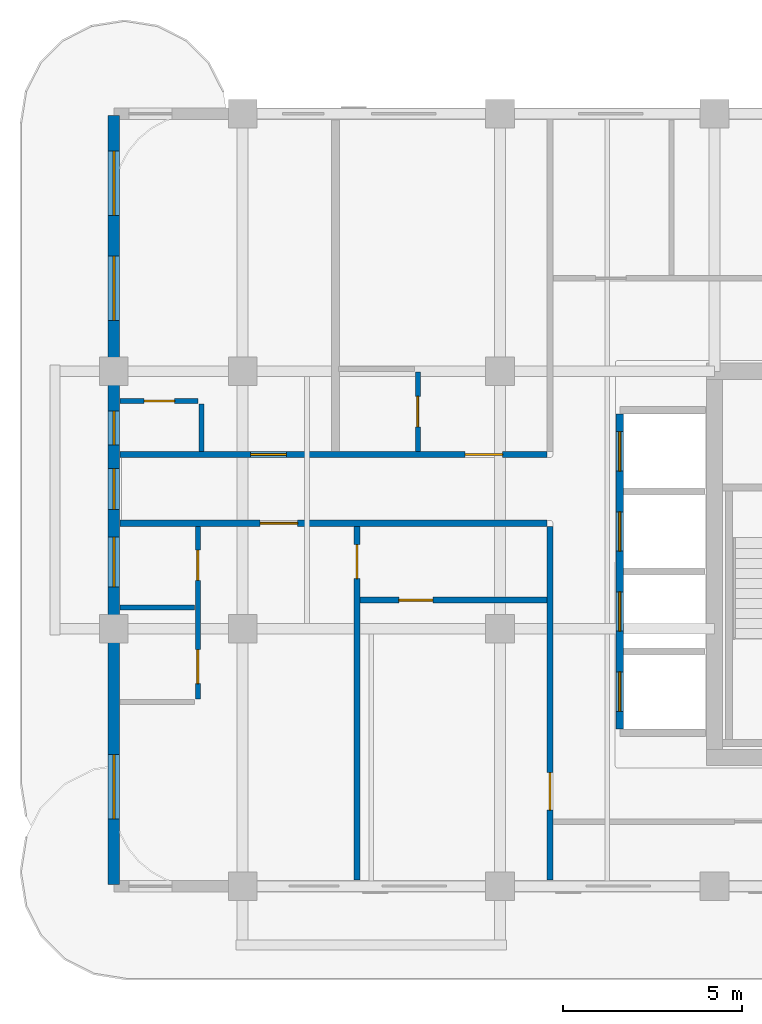
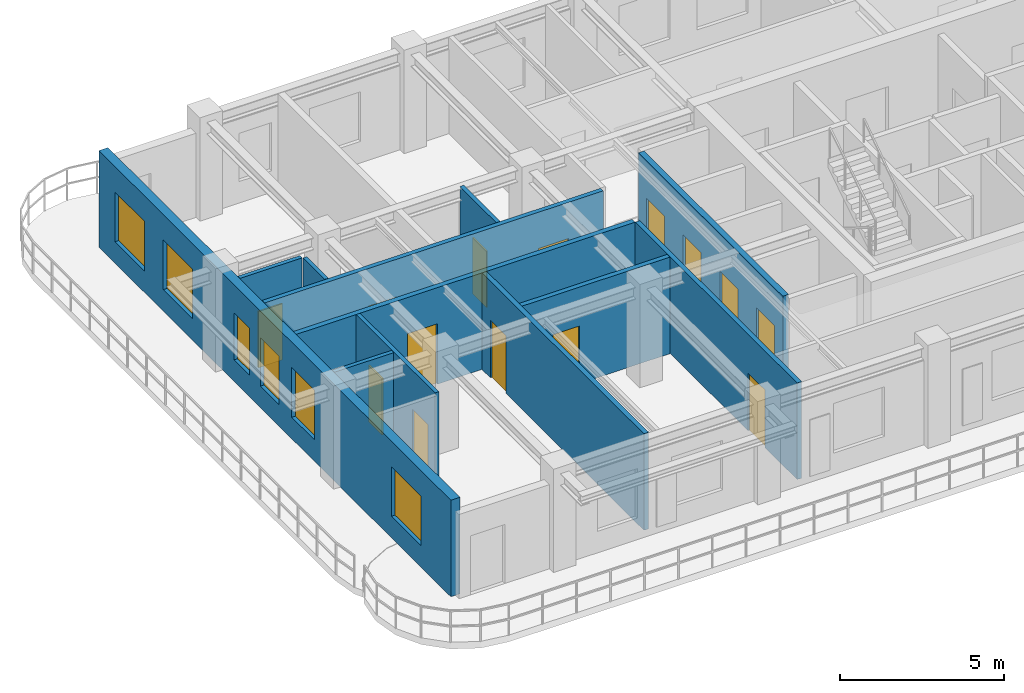
# One storey, part 2 of 7: 14 doors, 12 walls, 6 windows, 20 openings.
"""IFC4 building model written with IfcOpenShell, lengths in metres."""

from ifc_helpers import new_model, si_unit, derived_unit, direction, frame, frame_2d, origin, place, context, subcontext, project, spatial, rectangle, extrude, source, transform, mapped, material, layer, layer_set, type_object, type_shapes, element, fill, save


model = new_model("IFC4")

# Units and contexts
model_context = context("Model", 3, precision=1e-05, world=origin(), true_north=direction((0.0, 1.0)))
body_context = subcontext(model_context, "Body", "Model", "MODEL_VIEW")
ifc_project = project(units=[si_unit("LENGTHUNIT", "METRE"), si_unit("AREAUNIT", "SQUARE_METRE"), si_unit("VOLUMEUNIT", "CUBIC_METRE"), si_unit("PLANEANGLEUNIT", "RADIAN"), si_unit("MASSUNIT", "GRAM", prefix="KILO"), si_unit("THERMODYNAMICTEMPERATUREUNIT", "KELVIN"), si_unit("POWERUNIT", "WATT"), derived_unit("THERMALTRANSMITTANCEUNIT", [(si_unit("POWERUNIT", "WATT"), 1), (si_unit("AREAUNIT", "SQUARE_METRE"), -1), (si_unit("THERMODYNAMICTEMPERATUREUNIT", "KELVIN"), -1)])], contexts=[model_context])

# Site, building, storey
site_placement = place(None, origin())
site = spatial("IfcSite", under=ifc_project, at=site_placement, CompositionType="ELEMENT")
building_placement = place(site_placement, origin())
building = spatial("IfcBuilding", under=site, at=building_placement, Name="Zahravan Archway Hotel and Residences", CompositionType="ELEMENT")
storey_placement = place(building_placement, frame((0.0, 0.0, 255.800048828125)))
storey = spatial("IfcBuildingStorey", under=building, at=storey_placement, Name="L64", CompositionType="ELEMENT", Elevation=255.800048828125)

# Wall, openings, windows
ifc_material_1 = material(Name="Agra Buff Sandstone & Insulated Backup", Category="masonry")
ifc_layer_1 = layer(ifc_material_1, 0.320068359375, Name="Agra Buff Sandstone & Insulated Backup", Category="masonry")
ifc_layer_set_1 = layer_set([ifc_layer_1], Name="Agra Buff Sandstone & Insulated Backup")
wall_type_1 = type_object("IfcWallType", Name="EW-SAND-320", PredefinedType="SOLIDWALL", material=ifc_layer_set_1)
wall_1_placement = place(storey_placement, frame((18.0, 0.050048828125, 0.0), z_axis=(0.0, 0.0, 1.0), x_axis=(0.0, 1.0, 0.0)))
wall_1 = element("IfcWall", 1, at=wall_1_placement, inside=storey, type_object=wall_type_1, Name="L64 Exterior Sandstone Wall WA-W", PredefinedType="SOLIDWALL", context=body_context, shape_type="SweptSolid", body=[
    extrude(rectangle(XDim=21.5, YDim=0.320068359375, at=frame_2d((10.75, 0.0))), origin(), (0.0, 0.0, 1.0), 3.599853515625),
])
opening_1_placement = place(wall_1_placement, frame((1.8310546875, 0.0, 0.800048828125)))
opening_1 = element("IfcOpeningElement", 2, at=opening_1_placement, cuts=wall_1, Name="Opening W-02", PredefinedType="OPENING", context=body_context, shape_type="SweptSolid", body=[
    extrude(rectangle(XDim=1.800048828125, YDim=1.85009765625, at=frame_2d((0.89990234375, 0.925048828125))), frame((0.0, 0.169921875, 0.0), z_axis=(0.0, -1.0, 0.0), x_axis=(1.0, 0.0, 0.0)), (0.0, 0.0, 1.0), 0.340087890625),
])
opening_2_placement = place(wall_1_placement, frame((8.321044921875, 0.0, 0.800048828125)))
opening_2 = element("IfcOpeningElement", 3, at=opening_2_placement, cuts=wall_1, Name="Opening W-03", PredefinedType="OPENING", context=body_context, shape_type="SweptSolid", body=[
    extrude(rectangle(XDim=1.39990234375, YDim=1.85009765625, at=frame_2d((0.699951171875, 0.925048828125))), frame((0.0, 0.169921875, 0.0), z_axis=(0.0, -1.0, 0.0), x_axis=(1.0, 0.0, 0.0)), (0.0, 0.0, 1.0), 0.340087890625),
])
opening_3_placement = place(wall_1_placement, frame((10.485107421875, 0.0, 0.800048828125)))
opening_3 = element("IfcOpeningElement", 4, at=opening_3_placement, cuts=wall_1, Name="Opening W-05", PredefinedType="OPENING", context=body_context, shape_type="SweptSolid", body=[
    extrude(rectangle(XDim=1.14990234375, YDim=1.800048828125, at=frame_2d((0.574951171875, 0.89990234375))), frame((0.0, 0.169921875, 0.0), z_axis=(0.0, -1.0, 0.0), x_axis=(1.0, 0.0, 0.0)), (0.0, 0.0, 1.0), 0.340087890625),
])
opening_4_placement = place(wall_1_placement, frame((12.294921875, 0.0, 0.800048828125)))
opening_4 = element("IfcOpeningElement", 5, at=opening_4_placement, cuts=wall_1, Name="Opening W-04", PredefinedType="OPENING", context=body_context, shape_type="SweptSolid", body=[
    extrude(rectangle(XDim=0.949951171875, YDim=1.75, at=frame_2d((0.47509765625, 0.875))), frame((0.0, 0.169921875, 0.0), z_axis=(0.0, -1.0, 0.0), x_axis=(1.0, 0.0, 0.0)), (0.0, 0.0, 1.0), 0.340087890625),
])
opening_5_placement = place(wall_1_placement, frame((15.77001953125, 0.0, 0.800048828125)))
opening_5 = element("IfcOpeningElement", 6, at=opening_5_placement, cuts=wall_1, Name="Opening W-02", PredefinedType="OPENING", context=body_context, shape_type="SweptSolid", body=[
    extrude(rectangle(XDim=1.800048828125, YDim=1.85009765625, at=frame_2d((0.89990234375, 0.925048828125))), frame((0.0, 0.169921875, 0.0), z_axis=(0.0, -1.0, 0.0), x_axis=(1.0, 0.0, 0.0)), (0.0, 0.0, 1.0), 0.340087890625),
])
opening_6_placement = place(wall_1_placement, frame((18.7099609375, 0.0, 0.800048828125)))
opening_6 = element("IfcOpeningElement", 7, at=opening_6_placement, cuts=wall_1, Name="Opening W-02", PredefinedType="OPENING", context=body_context, shape_type="SweptSolid", body=[
    extrude(rectangle(XDim=1.800048828125, YDim=1.85009765625, at=frame_2d((0.89990234375, 0.925048828125))), frame((0.0, 0.169921875, 0.0), z_axis=(0.0, -1.0, 0.0), x_axis=(1.0, 0.0, 0.0)), (0.0, 0.0, 1.0), 0.340087890625),
])
ifc_material_2 = material(Name="Bronze-Anodized Thermal-Break Aluminium & Low-E Glass", Category="aluminium")
window_type_1 = type_object("IfcWindowType", Name="WIN-TWR-1400", PartitioningType="SINGLE_PANEL", PredefinedType="WINDOW", material=ifc_material_2)
shared_shape_1 = source(origin(), body_context, "Body", "SweptSolid", [
    extrude(rectangle(XDim=1.39990234375, YDim=1.85009765625, at=frame_2d((0.699951171875, 0.925048828125))), frame((0.0, 0.030029296875, 0.0), z_axis=(0.0, -1.0, 0.0), x_axis=(1.0, 0.0, 0.0)), (0.0, 0.0, 1.0), 0.06005859375),
])
type_shapes(window_type_1, [shared_shape_1])
window_1_placement = place(opening_2_placement, origin())
window_1 = element("IfcWindow", 8, at=window_1_placement, inside=storey, type_object=window_type_1, Name="L64 Loggia Window 17", OverallHeight=1.85009765625, OverallWidth=1.39990234375, PartitioningType="SINGLE_PANEL", PredefinedType="WINDOW", context=body_context, shape_type="MappedRepresentation", body=[
    mapped(shared_shape_1, transform((0.0, 0.0, 0.0), scale=1.0)),
])
fill(opening_2, window_1)
window_type_2 = type_object("IfcWindowType", Name="WIN-NAR-950", PartitioningType="SINGLE_PANEL", PredefinedType="WINDOW", material=ifc_material_2)
shared_shape_2 = source(origin(), body_context, "Body", "SweptSolid", [
    extrude(rectangle(XDim=0.949951171875, YDim=1.75, at=frame_2d((0.47509765625, 0.875))), frame((0.0, 0.030029296875, 0.0), z_axis=(0.0, -1.0, 0.0), x_axis=(1.0, 0.0, 0.0)), (0.0, 0.0, 1.0), 0.06005859375),
])
type_shapes(window_type_2, [shared_shape_2])
window_2_placement = place(opening_4_placement, origin())
window_2 = element("IfcWindow", 9, at=window_2_placement, inside=storey, type_object=window_type_2, Name="L64 Loggia Window 19", OverallHeight=1.75, OverallWidth=0.949951171875, PartitioningType="SINGLE_PANEL", PredefinedType="WINDOW", context=body_context, shape_type="MappedRepresentation", body=[
    mapped(shared_shape_2, transform((0.0, 0.0, 0.0), scale=1.0)),
])
fill(opening_4, window_2)
window_type_3 = type_object("IfcWindowType", Name="WIN-TWR-1800", PartitioningType="DOUBLE_PANEL_VERTICAL", PredefinedType="WINDOW", material=ifc_material_2)
shared_shape_3 = source(origin(), body_context, "Body", "SweptSolid", [
    extrude(rectangle(XDim=1.800048828125, YDim=1.85009765625, at=frame_2d((0.89990234375, 0.925048828125))), frame((0.0, 0.030029296875, 0.0), z_axis=(0.0, -1.0, 0.0), x_axis=(1.0, 0.0, 0.0)), (0.0, 0.0, 1.0), 0.06005859375),
])
type_shapes(window_type_3, [shared_shape_3])
window_3_placement = place(opening_1_placement, origin())
window_3 = element("IfcWindow", 10, at=window_3_placement, inside=storey, type_object=window_type_3, Name="L64 Loggia Window 16", OverallHeight=1.85009765625, OverallWidth=1.800048828125, PartitioningType="DOUBLE_PANEL_VERTICAL", PredefinedType="WINDOW", context=body_context, shape_type="MappedRepresentation", body=[
    mapped(shared_shape_3, transform((0.0, 0.0, 0.0), scale=1.0)),
])
fill(opening_1, window_3)
window_4_placement = place(opening_5_placement, origin())
window_4 = element("IfcWindow", 11, at=window_4_placement, inside=storey, type_object=window_type_3, Name="L64 Loggia Window 20", OverallHeight=1.85009765625, OverallWidth=1.800048828125, PartitioningType="DOUBLE_PANEL_VERTICAL", PredefinedType="WINDOW", context=body_context, shape_type="MappedRepresentation", body=[
    mapped(shared_shape_3, transform((0.0, 0.0, 0.0), scale=1.0)),
])
fill(opening_5, window_4)
window_5_placement = place(opening_6_placement, origin())
window_5 = element("IfcWindow", 12, at=window_5_placement, inside=storey, type_object=window_type_3, Name="L64 Loggia Window 21", OverallHeight=1.85009765625, OverallWidth=1.800048828125, PartitioningType="DOUBLE_PANEL_VERTICAL", PredefinedType="WINDOW", context=body_context, shape_type="MappedRepresentation", body=[
    mapped(shared_shape_3, transform((0.0, 0.0, 0.0), scale=1.0)),
])
fill(opening_6, window_5)
window_type_4 = type_object("IfcWindowType", Name="WIN-TWR-1150", PartitioningType="SINGLE_PANEL", PredefinedType="WINDOW", material=ifc_material_2)
shared_shape_4 = source(origin(), body_context, "Body", "SweptSolid", [
    extrude(rectangle(XDim=1.14990234375, YDim=1.800048828125, at=frame_2d((0.574951171875, 0.89990234375))), frame((0.0, 0.030029296875, 0.0), z_axis=(0.0, -1.0, 0.0), x_axis=(1.0, 0.0, 0.0)), (0.0, 0.0, 1.0), 0.06005859375),
])
type_shapes(window_type_4, [shared_shape_4])
window_6_placement = place(opening_3_placement, origin())
window_6 = element("IfcWindow", 13, at=window_6_placement, inside=storey, type_object=window_type_4, Name="L64 Loggia Window 18", OverallHeight=1.800048828125, OverallWidth=1.14990234375, PartitioningType="SINGLE_PANEL", PredefinedType="WINDOW", context=body_context, shape_type="MappedRepresentation", body=[
    mapped(shared_shape_4, transform((0.0, 0.0, 0.0), scale=1.0)),
])
fill(opening_3, window_6)

# Wall, openings, doors
ifc_material_3 = material(Name="Fire-Rated Gypsum & Concrete Block", Category="concrete")
ifc_layer_2 = layer(ifc_material_3, 0.159912109375, Name="Fire-Rated Gypsum & Concrete Block", Category="concrete")
ifc_layer_set_2 = layer_set([ifc_layer_2], Name="Fire-Rated Gypsum & Concrete Block")
wall_type_2 = type_object("IfcWallType", Name="PW-CORR-160", PredefinedType="PARTITIONING", material=ifc_layer_set_2)
wall_2_placement = place(storey_placement, frame((18.16796875, 12.070068359375, 0.0), z_axis=(0.0, 0.0, 1.0), x_axis=(1.0, 0.0, 0.0)))
wall_2 = element("IfcWall", 14, at=wall_2_placement, inside=storey, type_object=wall_type_2, Name="L64 Partition WA-CN", PredefinedType="PARTITIONING", context=body_context, shape_type="SweptSolid", body=[
    extrude(rectangle(XDim=11.942138671875, YDim=0.159912109375, at=frame_2d((5.97119140625, 0.0))), origin(), (0.0, 0.0, 1.0), 3.599853515625),
])
opening_7_placement = place(wall_2_placement, frame((3.656982421875, 0.0, 0.0)))
opening_7 = element("IfcOpeningElement", 15, at=opening_7_placement, cuts=wall_2, Name="Opening D-U2", PredefinedType="OPENING", context=body_context, shape_type="SweptSolid", body=[
    extrude(rectangle(XDim=1.0, YDim=2.199951171875, at=frame_2d((0.5, 1.10009765625))), frame((0.0, 0.08984375, 0.0), z_axis=(0.0, -1.0, 0.0), x_axis=(1.0, 0.0, 0.0)), (0.0, 0.0, 1.0), 0.179931640625),
])
opening_8_placement = place(wall_2_placement, frame((9.656982421875, 0.0, 0.0)))
opening_8 = element("IfcOpeningElement", 16, at=opening_8_placement, cuts=wall_2, Name="Opening D-U1", PredefinedType="OPENING", context=body_context, shape_type="SweptSolid", body=[
    extrude(rectangle(XDim=1.050048828125, YDim=2.25, at=frame_2d((0.52490234375, 1.125))), frame((0.0, 0.08984375, 0.0), z_axis=(0.0, -1.0, 0.0), x_axis=(1.0, 0.0, 0.0)), (0.0, 0.0, 1.0), 0.179931640625),
])
ifc_material_4 = material(Name="Hardwood Veneer Timber", Category="wood")
door_type_1 = type_object("IfcDoorType", Name="ID-UNIT-1050", OperationType="NOTDEFINED", PredefinedType="DOOR", material=ifc_material_4)
shared_shape_5 = source(origin(), body_context, "Body", "SweptSolid", [
    extrude(rectangle(XDim=1.050048828125, YDim=2.25, at=frame_2d((0.52490234375, 1.125))), frame((0.0, 0.02490234375, 0.0), z_axis=(0.0, -1.0, 0.0), x_axis=(1.0, 0.0, 0.0)), (0.0, 0.0, 1.0), 0.050048828125),
])
type_shapes(door_type_1, [shared_shape_5])
door_1_placement = place(opening_8_placement, origin())
door_1 = element("IfcDoor", 17, at=door_1_placement, inside=storey, type_object=door_type_1, Name="L64 Hotel Guestroom 88 Entrance Door", OperationType="SINGLE_SWING_LEFT", OverallHeight=2.25, OverallWidth=1.050048828125, PredefinedType="DOOR", context=body_context, shape_type="MappedRepresentation", body=[
    mapped(shared_shape_5, transform((0.0, 0.0, 0.0), scale=1.0)),
])
fill(opening_8, door_1)
door_type_2 = type_object("IfcDoorType", Name="ID-UNIT-1000", OperationType="NOTDEFINED", PredefinedType="DOOR", material=ifc_material_4)
shared_shape_6 = source(origin(), body_context, "Body", "SweptSolid", [
    extrude(rectangle(XDim=1.0, YDim=2.199951171875, at=frame_2d((0.5, 1.10009765625))), frame((0.0, 0.02490234375, 0.0), z_axis=(0.0, -1.0, 0.0), x_axis=(1.0, 0.0, 0.0)), (0.0, 0.0, 1.0), 0.050048828125),
])
type_shapes(door_type_2, [shared_shape_6])
door_2_placement = place(opening_7_placement, origin())
door_2 = element("IfcDoor", 18, at=door_2_placement, inside=storey, type_object=door_type_2, Name="L64 Hotel Guestroom 87 Entrance Door", OperationType="SINGLE_SWING_LEFT", OverallHeight=2.199951171875, OverallWidth=1.0, PredefinedType="DOOR", context=body_context, shape_type="MappedRepresentation", body=[
    mapped(shared_shape_6, transform((0.0, 0.0, 0.0), scale=1.0)),
])
fill(opening_7, door_2)

# Wall, opening, door
wall_3_placement = place(storey_placement, frame((30.199951171875, 0.16796875, 0.0), z_axis=(0.0, 0.0, 1.0), x_axis=(0.0, 1.0, 0.0)))
wall_3 = element("IfcWall", 19, at=wall_3_placement, inside=storey, type_object=wall_type_2, Name="L64 Partition WA-SRW", PredefinedType="PARTITIONING", context=body_context, shape_type="SweptSolid", body=[
    extrude(rectangle(XDim=9.89208984375, YDim=0.159912109375, at=frame_2d((4.946044921875, 0.0))), origin(), (0.0, 0.0, 1.0), 3.599853515625),
])
opening_9_placement = place(wall_3_placement, frame((1.95703125, 0.0, 0.0)))
opening_9 = element("IfcOpeningElement", 20, at=opening_9_placement, cuts=wall_3, Name="Opening FD-L2", PredefinedType="OPENING", context=body_context, shape_type="SweptSolid", body=[
    extrude(rectangle(XDim=1.050048828125, YDim=2.14990234375, at=frame_2d((0.52490234375, 1.074951171875))), frame((0.0, 0.08984375, 0.0), z_axis=(0.0, -1.0, 0.0), x_axis=(1.0, 0.0, 0.0)), (0.0, 0.0, 1.0), 0.179931640625),
])
ifc_material_5 = material(Name="Fire-Rated Painted Steel", Category="steel")
door_type_3 = type_object("IfcDoorType", Name="FD-LOBBY-1100", OperationType="NOTDEFINED", PredefinedType="DOOR", material=ifc_material_5)
shared_shape_7 = source(origin(), body_context, "Body", "SweptSolid", [
    extrude(rectangle(XDim=1.050048828125, YDim=2.14990234375, at=frame_2d((0.52490234375, 1.074951171875))), frame((0.0, 0.02490234375, 0.0), z_axis=(0.0, -1.0, 0.0), x_axis=(1.0, 0.0, 0.0)), (0.0, 0.0, 1.0), 0.050048828125),
])
type_shapes(door_type_3, [shared_shape_7])
door_3_placement = place(opening_9_placement, origin())
door_3 = element("IfcDoor", 21, at=door_3_placement, inside=storey, type_object=door_type_3, Name="L64 South Riser Corridor Door", OperationType="SINGLE_SWING_RIGHT", OverallHeight=2.14990234375, OverallWidth=1.050048828125, PredefinedType="DOOR", context=body_context, shape_type="MappedRepresentation", body=[
    mapped(shared_shape_7, transform((0.0, 0.0, 0.0), scale=1.0)),
])
fill(opening_9, door_3)

ifc_layer_3 = layer(ifc_material_3, 0.179931640625, Name="Fire-Rated Gypsum & Concrete Block", Category="concrete")
ifc_layer_set_3 = layer_set([ifc_layer_3], Name="Fire-Rated Gypsum & Concrete Block")
wall_type_3 = type_object("IfcWallType", Name="PW-CORR-180", PredefinedType="PARTITIONING", material=ifc_layer_set_3)
wall_4_placement = place(storey_placement, frame((18.16796875, 10.14990234375, 0.0), z_axis=(0.0, 0.0, 1.0), x_axis=(1.0, 0.0, 0.0)))
wall_4 = element("IfcWall", 22, at=wall_4_placement, inside=storey, type_object=wall_type_3, Name="L64 Partition WA-CS", PredefinedType="PARTITIONING", context=body_context, shape_type="SweptSolid", body=[
    extrude(rectangle(XDim=11.942138671875, YDim=0.179931640625, at=frame_2d((5.97119140625, 0.0))), origin(), (0.0, 0.0, 1.0), 3.599853515625),
])
opening_10_placement = place(wall_4_placement, frame((3.922119140625, 0.0, 0.0)))
opening_10 = element("IfcOpeningElement", 23, at=opening_10_placement, cuts=wall_4, Name="Opening D-U1", PredefinedType="OPENING", context=body_context, shape_type="SweptSolid", body=[
    extrude(rectangle(XDim=1.050048828125, YDim=2.25, at=frame_2d((0.52490234375, 1.125))), frame((0.0, 0.10009765625, 0.0), z_axis=(0.0, -1.0, 0.0), x_axis=(1.0, 0.0, 0.0)), (0.0, 0.0, 1.0), 0.199951171875),
])
door_4_placement = place(opening_10_placement, origin())
door_4 = element("IfcDoor", 24, at=door_4_placement, inside=storey, type_object=door_type_1, Name="L64 Flat S1 Entrance Door", OperationType="SINGLE_SWING_LEFT", OverallHeight=2.25, OverallWidth=1.050048828125, PredefinedType="DOOR", context=body_context, shape_type="MappedRepresentation", body=[
    mapped(shared_shape_5, transform((0.0, 0.0, 0.0), scale=1.0)),
])
fill(opening_10, door_4)

# Wall, openings, doors
ifc_layer_4 = layer(ifc_material_3, 0.199951171875, Name="Fire-Rated Gypsum & Concrete Block", Category="concrete")
ifc_layer_set_4 = layer_set([ifc_layer_4], Name="Fire-Rated Gypsum & Concrete Block")
wall_type_4 = type_object("IfcWallType", Name="PW-SHAFT-200", PredefinedType="PARTITIONING", material=ifc_layer_set_4)
wall_5_placement = place(storey_placement, frame((32.14990234375, 4.389892578125, 0.0), z_axis=(0.0, 0.0, 1.0), x_axis=(0.0, 1.0, 0.0)))
wall_5 = element("IfcWall", 25, at=wall_5_placement, inside=storey, type_object=wall_type_4, Name="L64 Partition B3-W", PredefinedType="PARTITIONING", context=body_context, shape_type="SweptSolid", body=[
    extrude(rectangle(XDim=8.820068359375, YDim=0.199951171875, at=frame_2d((4.41015625, 0.0))), origin(), (0.0, 0.0, 1.0), 3.599853515625),
])
opening_11_placement = place(wall_5_placement, frame((0.5, 0.0, 0.0)))
opening_11 = element("IfcOpeningElement", 26, at=opening_11_placement, cuts=wall_5, Name="Opening LD", PredefinedType="OPENING", context=body_context, shape_type="SweptSolid", body=[
    extrude(rectangle(XDim=1.10009765625, YDim=2.199951171875, at=frame_2d((0.550048828125, 1.10009765625))), frame((0.0, 0.10986328125, 0.0), z_axis=(0.0, -1.0, 0.0), x_axis=(1.0, 0.0, 0.0)), (0.0, 0.0, 1.0), 0.219970703125),
])
opening_12_placement = place(wall_5_placement, frame((2.739990234375, 0.0, 0.0)))
opening_12 = element("IfcOpeningElement", 27, at=opening_12_placement, cuts=wall_5, Name="Opening LD", PredefinedType="OPENING", context=body_context, shape_type="SweptSolid", body=[
    extrude(rectangle(XDim=1.10009765625, YDim=2.199951171875, at=frame_2d((0.550048828125, 1.10009765625))), frame((0.0, 0.10986328125, 0.0), z_axis=(0.0, -1.0, 0.0), x_axis=(1.0, 0.0, 0.0)), (0.0, 0.0, 1.0), 0.219970703125),
])
opening_13_placement = place(wall_5_placement, frame((4.97998046875, 0.0, 0.0)))
opening_13 = element("IfcOpeningElement", 28, at=opening_13_placement, cuts=wall_5, Name="Opening LD", PredefinedType="OPENING", context=body_context, shape_type="SweptSolid", body=[
    extrude(rectangle(XDim=1.10009765625, YDim=2.199951171875, at=frame_2d((0.550048828125, 1.10009765625))), frame((0.0, 0.10986328125, 0.0), z_axis=(0.0, -1.0, 0.0), x_axis=(1.0, 0.0, 0.0)), (0.0, 0.0, 1.0), 0.219970703125),
])
opening_14_placement = place(wall_5_placement, frame((7.219970703125, 0.0, 0.0)))
opening_14 = element("IfcOpeningElement", 29, at=opening_14_placement, cuts=wall_5, Name="Opening LD", PredefinedType="OPENING", context=body_context, shape_type="SweptSolid", body=[
    extrude(rectangle(XDim=1.10009765625, YDim=2.199951171875, at=frame_2d((0.550048828125, 1.10009765625))), frame((0.0, 0.10986328125, 0.0), z_axis=(0.0, -1.0, 0.0), x_axis=(1.0, 0.0, 0.0)), (0.0, 0.0, 1.0), 0.219970703125),
])
ifc_material_6 = material(Name="Brushed Stainless Steel", Category="steel")
door_type_4 = type_object("IfcDoorType", Name="DR-LIFT-LD", OperationType="SLIDING_TO_LEFT", PredefinedType="DOOR", material=ifc_material_6)
shared_shape_8 = source(origin(), body_context, "Body", "SweptSolid", [
    extrude(rectangle(XDim=1.10009765625, YDim=2.199951171875, at=frame_2d((0.550048828125, 1.10009765625))), frame((0.0, 0.02490234375, 0.0), z_axis=(0.0, -1.0, 0.0), x_axis=(1.0, 0.0, 0.0)), (0.0, 0.0, 1.0), 0.050048828125),
])
type_shapes(door_type_4, [shared_shape_8])
door_5_placement = place(opening_11_placement, origin())
door_5 = element("IfcDoor", 30, at=door_5_placement, inside=storey, type_object=door_type_4, Name="L64 Lift LP-7 Sliding Landing Door", OperationType="SLIDING_TO_LEFT", OverallHeight=2.199951171875, OverallWidth=1.10009765625, PredefinedType="DOOR", context=body_context, shape_type="MappedRepresentation", body=[
    mapped(shared_shape_8, transform((0.0, 0.0, 0.0), scale=1.0)),
])
fill(opening_11, door_5)
door_6_placement = place(opening_12_placement, origin())
door_6 = element("IfcDoor", 31, at=door_6_placement, inside=storey, type_object=door_type_4, Name="L64 Lift LP-8 Sliding Landing Door", OperationType="SLIDING_TO_LEFT", OverallHeight=2.199951171875, OverallWidth=1.10009765625, PredefinedType="DOOR", context=body_context, shape_type="MappedRepresentation", body=[
    mapped(shared_shape_8, transform((0.0, 0.0, 0.0), scale=1.0)),
])
fill(opening_12, door_6)
door_7_placement = place(opening_13_placement, origin())
door_7 = element("IfcDoor", 32, at=door_7_placement, inside=storey, type_object=door_type_4, Name="L64 Lift LP-9 Sliding Landing Door", OperationType="SLIDING_TO_LEFT", OverallHeight=2.199951171875, OverallWidth=1.10009765625, PredefinedType="DOOR", context=body_context, shape_type="MappedRepresentation", body=[
    mapped(shared_shape_8, transform((0.0, 0.0, 0.0), scale=1.0)),
])
fill(opening_13, door_7)
door_8_placement = place(opening_14_placement, origin())
door_8 = element("IfcDoor", 33, at=door_8_placement, inside=storey, type_object=door_type_4, Name="L64 Lift LP-10 Sliding Landing Door", OperationType="SLIDING_TO_LEFT", OverallHeight=2.199951171875, OverallWidth=1.10009765625, PredefinedType="DOOR", context=body_context, shape_type="MappedRepresentation", body=[
    mapped(shared_shape_8, transform((0.0, 0.0, 0.0), scale=1.0)),
])
fill(opening_14, door_8)

# Wall, opening, door
ifc_material_7 = material(Name="Acoustic Stud Partition")
ifc_layer_5 = layer(ifc_material_7, 0.169921875, Name="Acoustic Stud Partition")
ifc_layer_set_5 = layer_set([ifc_layer_5], Name="Acoustic Stud Partition")
wall_type_5 = type_object("IfcWallType", Name="PW-UNIT-170", PredefinedType="PARTITIONING", material=ifc_layer_set_5)
wall_6_placement = place(storey_placement, frame((24.800048828125, 0.16796875, 0.0), z_axis=(0.0, 0.0, 1.0), x_axis=(0.0, 1.0, 0.0)))
wall_6 = element("IfcWall", 34, at=wall_6_placement, inside=storey, type_object=wall_type_5, Name="L64 Partition FL-S1-SP", PredefinedType="PARTITIONING", context=body_context, shape_type="SweptSolid", body=[
    extrude(rectangle(XDim=9.89208984375, YDim=0.169921875, at=frame_2d((4.946044921875, 0.0))), origin(), (0.0, 0.0, 1.0), 3.599853515625),
])
opening_15_placement = place(wall_6_placement, frame((8.431884765625, 0.0, 0.0)))
opening_15 = element("IfcOpeningElement", 35, at=opening_15_placement, cuts=wall_6, Name="Opening D-I1", PredefinedType="OPENING", context=body_context, shape_type="SweptSolid", body=[
    extrude(rectangle(XDim=0.949951171875, YDim=2.14990234375, at=frame_2d((0.47509765625, 1.074951171875))), frame((0.0, 0.094970703125, 0.0), z_axis=(0.0, -1.0, 0.0), x_axis=(1.0, 0.0, 0.0)), (0.0, 0.0, 1.0), 0.18994140625),
])
door_type_5 = type_object("IfcDoorType", Name="ID-INT-950", OperationType="NOTDEFINED", PredefinedType="DOOR", material=ifc_material_4)
shared_shape_9 = source(origin(), body_context, "Body", "SweptSolid", [
    extrude(rectangle(XDim=0.949951171875, YDim=2.14990234375, at=frame_2d((0.47509765625, 1.074951171875))), frame((0.0, 0.02490234375, 0.0), z_axis=(0.0, -1.0, 0.0), x_axis=(1.0, 0.0, 0.0)), (0.0, 0.0, 1.0), 0.050048828125),
])
type_shapes(door_type_5, [shared_shape_9])
door_9_placement = place(opening_15_placement, origin())
door_9 = element("IfcDoor", 36, at=door_9_placement, inside=storey, type_object=door_type_5, Name="L64 Flat S1 Bedroom Hall Door", OperationType="SINGLE_SWING_RIGHT", OverallHeight=2.14990234375, OverallWidth=0.949951171875, PredefinedType="DOOR", context=body_context, shape_type="MappedRepresentation", body=[
    mapped(shared_shape_9, transform((0.0, 0.0, 0.0), scale=1.0)),
])
fill(opening_15, door_9)

wall_7_placement = place(storey_placement, frame((24.889892578125, 8.0, 0.0), z_axis=(0.0, 0.0, 1.0), x_axis=(1.0, 0.0, 0.0)))
wall_7 = element("IfcWall", 37, at=wall_7_placement, inside=storey, type_object=wall_type_5, Name="L64 Partition FL-S1-GH", PredefinedType="PARTITIONING", context=body_context, shape_type="SweptSolid", body=[
    extrude(rectangle(XDim=5.22021484375, YDim=0.169921875, at=frame_2d((2.610107421875, 0.0))), origin(), (0.0, 0.0, 1.0), 3.599853515625),
])
opening_16_placement = place(wall_7_placement, frame((1.0849609375, 0.0, 0.0)))
opening_16 = element("IfcOpeningElement", 38, at=opening_16_placement, cuts=wall_7, Name="Opening D-I1", PredefinedType="OPENING", context=body_context, shape_type="SweptSolid", body=[
    extrude(rectangle(XDim=0.949951171875, YDim=2.14990234375, at=frame_2d((0.47509765625, 1.074951171875))), frame((0.0, 0.094970703125, 0.0), z_axis=(0.0, -1.0, 0.0), x_axis=(1.0, 0.0, 0.0)), (0.0, 0.0, 1.0), 0.18994140625),
])
door_10_placement = place(opening_16_placement, origin())
door_10 = element("IfcDoor", 39, at=door_10_placement, inside=storey, type_object=door_type_5, Name="L64 Flat S1 Bedroom 1 Door", OperationType="SINGLE_SWING_LEFT", OverallHeight=2.14990234375, OverallWidth=0.949951171875, PredefinedType="DOOR", context=body_context, shape_type="MappedRepresentation", body=[
    mapped(shared_shape_9, transform((0.0, 0.0, 0.0), scale=1.0)),
])
fill(opening_16, door_10)

# Wall, openings, doors
ifc_material_8 = material(Name="Moisture-Resistant Blockwork", Category="masonry")
ifc_layer_6 = layer(ifc_material_8, 0.139892578125, Name="Moisture-Resistant Blockwork", Category="masonry")
ifc_layer_set_6 = layer_set([ifc_layer_6], Name="Moisture-Resistant Blockwork")
wall_type_6 = type_object("IfcWallType", Name="PW-WET-140", PredefinedType="PARTITIONING", material=ifc_layer_set_6)
wall_8_placement = place(storey_placement, frame((20.35009765625, 5.239990234375, 0.0), z_axis=(0.0, 0.0, 1.0), x_axis=(0.0, 1.0, 0.0)))
wall_8 = element("IfcWall", 40, at=wall_8_placement, inside=storey, type_object=wall_type_6, Name="L64 Partition FL-S1-BV", PredefinedType="PARTITIONING", context=body_context, shape_type="SweptSolid", body=[
    extrude(rectangle(XDim=4.820068359375, YDim=0.139892578125, at=frame_2d((2.41015625, 0.0))), origin(), (0.0, 0.0, 1.0), 3.599853515625),
])
opening_17_placement = place(wall_8_placement, frame((0.422119140625, 0.0, 0.0)))
opening_17 = element("IfcOpeningElement", 41, at=opening_17_placement, cuts=wall_8, Name="Opening D-I1", PredefinedType="OPENING", context=body_context, shape_type="SweptSolid", body=[
    extrude(rectangle(XDim=0.949951171875, YDim=2.14990234375, at=frame_2d((0.47509765625, 1.074951171875))), frame((0.0, 0.080078125, 0.0), z_axis=(0.0, -1.0, 0.0), x_axis=(1.0, 0.0, 0.0)), (0.0, 0.0, 1.0), 0.159912109375),
])
opening_18_placement = place(wall_8_placement, frame((3.31005859375, 0.0, 0.0)))
opening_18 = element("IfcOpeningElement", 42, at=opening_18_placement, cuts=wall_8, Name="Opening D-B1", PredefinedType="OPENING", context=body_context, shape_type="SweptSolid", body=[
    extrude(rectangle(XDim=0.85009765625, YDim=2.10009765625, at=frame_2d((0.425048828125, 1.050048828125))), frame((0.0, 0.080078125, 0.0), z_axis=(0.0, -1.0, 0.0), x_axis=(1.0, 0.0, 0.0)), (0.0, 0.0, 1.0), 0.159912109375),
])
door_type_6 = type_object("IfcDoorType", Name="ID-BATH-850", OperationType="NOTDEFINED", PredefinedType="DOOR", material=ifc_material_4)
shared_shape_10 = source(origin(), body_context, "Body", "SweptSolid", [
    extrude(rectangle(XDim=0.85009765625, YDim=2.10009765625, at=frame_2d((0.425048828125, 1.050048828125))), frame((0.0, 0.02490234375, 0.0), z_axis=(0.0, -1.0, 0.0), x_axis=(1.0, 0.0, 0.0)), (0.0, 0.0, 1.0), 0.050048828125),
])
type_shapes(door_type_6, [shared_shape_10])
door_11_placement = place(opening_18_placement, origin())
door_11 = element("IfcDoor", 43, at=door_11_placement, inside=storey, type_object=door_type_6, Name="L64 Flat S1 Bathroom Door", OperationType="SINGLE_SWING_RIGHT", OverallHeight=2.10009765625, OverallWidth=0.85009765625, PredefinedType="DOOR", context=body_context, shape_type="MappedRepresentation", body=[
    mapped(shared_shape_10, transform((0.0, 0.0, 0.0), scale=1.0)),
])
fill(opening_18, door_11)
door_12_placement = place(opening_17_placement, origin())
door_12 = element("IfcDoor", 44, at=door_12_placement, inside=storey, type_object=door_type_5, Name="L64 Flat S1 Kitchen Door", OperationType="SINGLE_SWING_LEFT", OverallHeight=2.14990234375, OverallWidth=0.949951171875, PredefinedType="DOOR", context=body_context, shape_type="MappedRepresentation", body=[
    mapped(shared_shape_9, transform((0.0, 0.0, 0.0), scale=1.0)),
])
fill(opening_17, door_12)

# Walls
wall_9_placement = place(storey_placement, frame((18.16796875, 7.800048828125, 0.0), z_axis=(0.0, 0.0, 1.0), x_axis=(1.0, 0.0, 0.0)))
element("IfcWall", 45, at=wall_9_placement, inside=storey, type_object=wall_type_6, Name="L64 Partition FL-S1-BM", PredefinedType="PARTITIONING", context=body_context, shape_type="SweptSolid", body=[
    extrude(rectangle(XDim=2.092041015625, YDim=0.139892578125, at=frame_2d((1.0458984375, 0.0))), origin(), (0.0, 0.0, 1.0), 3.599853515625),
])
wall_10_placement = place(storey_placement, frame((20.449951171875, 12.159912109375, 0.0), z_axis=(0.0, 0.0, 1.0), x_axis=(0.0, 1.0, 0.0)))
element("IfcWall", 46, at=wall_10_placement, inside=storey, type_object=wall_type_6, Name="L64 Partition HKB-V87", PredefinedType="PARTITIONING", context=body_context, shape_type="SweptSolid", body=[
    extrude(rectangle(XDim=1.320068359375, YDim=0.139892578125, at=frame_2d((0.66015625, 0.0))), origin(), (0.0, 0.0, 1.0), 3.599853515625),
])

# Wall, opening, door
wall_11_placement = place(storey_placement, frame((18.16796875, 13.570068359375, 0.0), z_axis=(0.0, 0.0, 1.0), x_axis=(1.0, 0.0, 0.0)))
wall_11 = element("IfcWall", 47, at=wall_11_placement, inside=storey, type_object=wall_type_6, Name="L64 Partition HKB-H87", PredefinedType="PARTITIONING", context=body_context, shape_type="SweptSolid", body=[
    extrude(rectangle(XDim=2.192138671875, YDim=0.139892578125, at=frame_2d((1.09619140625, 0.0))), origin(), (0.0, 0.0, 1.0), 3.599853515625),
])
opening_19_placement = place(wall_11_placement, frame((0.681884765625, 0.0, 0.0)))
opening_19 = element("IfcOpeningElement", 48, at=opening_19_placement, cuts=wall_11, Name="Opening D-B1", PredefinedType="OPENING", context=body_context, shape_type="SweptSolid", body=[
    extrude(rectangle(XDim=0.85009765625, YDim=2.10009765625, at=frame_2d((0.425048828125, 1.050048828125))), frame((0.0, 0.080078125, 0.0), z_axis=(0.0, -1.0, 0.0), x_axis=(1.0, 0.0, 0.0)), (0.0, 0.0, 1.0), 0.159912109375),
])
door_13_placement = place(opening_19_placement, origin())
door_13 = element("IfcDoor", 49, at=door_13_placement, inside=storey, type_object=door_type_6, Name="L64 Guestroom 87 En-Suite Door", OperationType="SINGLE_SWING_RIGHT", OverallHeight=2.10009765625, OverallWidth=0.85009765625, PredefinedType="DOOR", context=body_context, shape_type="MappedRepresentation", body=[
    mapped(shared_shape_10, transform((0.0, 0.0, 0.0), scale=1.0)),
])
fill(opening_19, door_13)

wall_12_placement = place(storey_placement, frame((26.5, 12.159912109375, 0.0), z_axis=(0.0, 0.0, 1.0), x_axis=(0.0, 1.0, 0.0)))
wall_12 = element("IfcWall", 50, at=wall_12_placement, inside=storey, type_object=wall_type_6, Name="L64 Partition HKB-V88", PredefinedType="PARTITIONING", context=body_context, shape_type="SweptSolid", body=[
    extrude(rectangle(XDim=2.219970703125, YDim=0.139892578125, at=frame_2d((1.10986328125, 0.0))), origin(), (0.0, 0.0, 1.0), 3.599853515625),
])
opening_20_placement = place(wall_12_placement, frame((0.68505859375, 0.0, 0.0)))
opening_20 = element("IfcOpeningElement", 51, at=opening_20_placement, cuts=wall_12, Name="Opening D-B1", PredefinedType="OPENING", context=body_context, shape_type="SweptSolid", body=[
    extrude(rectangle(XDim=0.85009765625, YDim=2.10009765625, at=frame_2d((0.425048828125, 1.050048828125))), frame((0.0, 0.080078125, 0.0), z_axis=(0.0, -1.0, 0.0), x_axis=(1.0, 0.0, 0.0)), (0.0, 0.0, 1.0), 0.159912109375),
])
door_14_placement = place(opening_20_placement, origin())
door_14 = element("IfcDoor", 52, at=door_14_placement, inside=storey, type_object=door_type_6, Name="L64 Guestroom 88 En-Suite Door", OperationType="SINGLE_SWING_RIGHT", OverallHeight=2.10009765625, OverallWidth=0.85009765625, PredefinedType="DOOR", context=body_context, shape_type="MappedRepresentation", body=[
    mapped(shared_shape_10, transform((0.0, 0.0, 0.0), scale=1.0)),
])
fill(opening_20, door_14)

save(model, "model.ifc")
